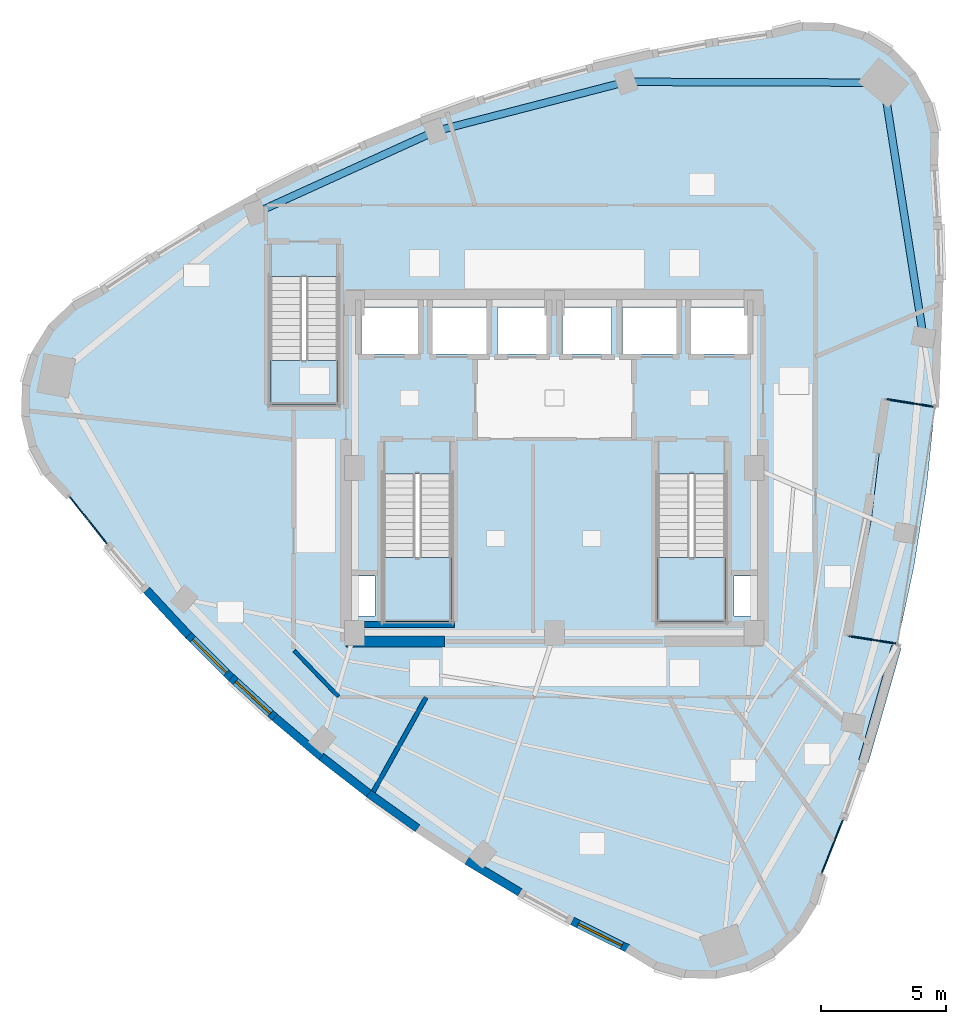
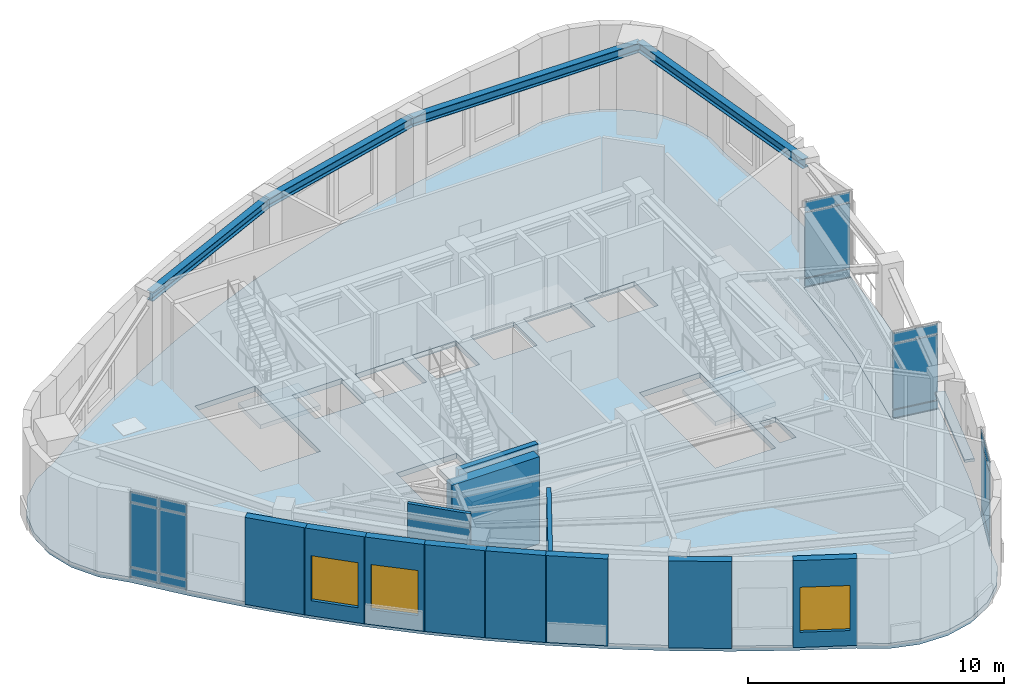
# One storey, part 8 of 14: 16 plates, 12 walls, 5 slabs, 4 beams, 3 windows, 3 openings, 7 elements without a shape of their own.
"""IFC4 building model written with IfcOpenShell, lengths in metres."""

from ifc_helpers import new_model, si_unit, direction, frame, frame_2d, origin, origin_2d, place, context, subcontext, project, spatial, polyline, rectangle, i_section, outline, extrude, material, layer, layer_set, material_profile, profile_set, type_object, element, fill, aggregate, save


model = new_model("IFC4")

# Units and contexts
model_context = context("Model", 3, precision=1e-05, world=origin(), true_north=direction((0.0, 1.0)))
body_context = subcontext(model_context, "Body", "Model", "MODEL_VIEW")
ifc_project = project(units=[si_unit("LENGTHUNIT", "METRE"), si_unit("AREAUNIT", "SQUARE_METRE"), si_unit("VOLUMEUNIT", "CUBIC_METRE"), si_unit("PLANEANGLEUNIT", "RADIAN"), si_unit("MASSUNIT", "GRAM", prefix="KILO")], contexts=[model_context])

# Site, building, storey
site_placement = place(None, origin())
site = spatial("IfcSite", under=ifc_project, at=site_placement, CompositionType="ELEMENT")
building_placement = place(site_placement, origin())
building = spatial("IfcBuilding", under=site, at=building_placement, Name="Ndelora Gate Hotel", CompositionType="ELEMENT")
storey_placement = place(building_placement, frame((0.0, 0.0, 277.199951171875)))
storey = spatial("IfcBuildingStorey", under=building, at=storey_placement, Name="L69", CompositionType="ELEMENT", Elevation=277.199951171875)

# Beams
ifc_material_1 = material(Name="Steel S355", Category="steel")
ifc_material_profile = material_profile(ifc_material_1, i_section(OverallWidth=0.300048828125, OverallDepth=0.449951171875, WebThickness=0.013916015625, FlangeThickness=0.02587890625, FilletRadius=0.027099609375, at=origin_2d()), Name="HEB 450")
ifc_profile_set = profile_set([ifc_material_profile], Name="Steel S355")
beam_type = type_object("IfcBeamType", Name="BM-RING-450", PredefinedType="SPANDREL", material=ifc_profile_set)
beam_1_placement = place(storey_placement, frame((14.77490234375, 5.232177734375, 3.925048828125), z_axis=(-0.154824264006, 0.987942026272, 0.0), x_axis=(-0.987942026272, -0.154824264006, 0.0)))
element("IfcBeam", 1, at=beam_1_placement, inside=storey, type_object=beam_type, Name="L69 Perimeter Spandrel Girder 8", PredefinedType="SPANDREL", context=body_context, shape_type="SweptSolid", body=[
    extrude(i_section(OverallWidth=0.300048828125, OverallDepth=0.449951171875, WebThickness=0.013916015625, FlangeThickness=0.02587890625, FilletRadius=0.027099609375, at=origin_2d()), origin(), (0.0, 0.0, 1.0), 10.32080078125),
])
beam_2_placement = place(storey_placement, frame((13.177001953125, 15.428466796875, 3.925048828125), z_axis=(-0.999994967187, 0.003172632958, 0.0), x_axis=(-0.003172632958, -0.999994967187, 0.0)))
element("IfcBeam", 2, at=beam_2_placement, inside=storey, type_object=beam_type, Name="L69 Perimeter Spandrel Girder 9", PredefinedType="SPANDREL", context=body_context, shape_type="SweptSolid", body=[
    extrude(i_section(OverallWidth=0.300048828125, OverallDepth=0.449951171875, WebThickness=0.013916015625, FlangeThickness=0.02587890625, FilletRadius=0.027099609375, at=origin_2d()), origin(), (0.0, 0.0, 1.0), 10.3115234375),
])
for number, where, z_axis, x_axis, name in (
    (3, (2.865478515625, 15.461181640625, 3.925048828125), (-0.968064499617, -0.250701265615, 0.0), (0.250701265615, -0.968064499617, 0.0), "L69 Perimeter Spandrel Girder 10"),
    (4, (-4.7744140625, 13.482666015625, 3.925048828125), (-0.910089762217, -0.414411178309, 0.0), (0.414411178309, -0.910089762217, 0.0), "L69 Perimeter Spandrel Girder 11"),
):
    element("IfcBeam", number, at=place(storey_placement, frame(where, z_axis=z_axis, x_axis=x_axis)), inside=storey, type_object=beam_type, Name=name, PredefinedType="SPANDREL", context=body_context, shape_type="SweptSolid", body=[
        extrude(i_section(OverallWidth=0.300048828125, OverallDepth=0.449951171875, WebThickness=0.013916015625, FlangeThickness=0.02587890625, FilletRadius=0.027099609375, at=origin_2d()), origin(), (0.0, 0.0, 1.0), 7.891845703125),
    ])

# Curtain wall, plates
ifc_material_2 = material(Name="Bronze Anodised Unitised Aluminium and Low-E Glass", Category="aluminium")
ifc_layer_1 = layer(ifc_material_2, 0.199951171875)
ifc_layer_set_1 = layer_set([ifc_layer_1], Name="Bronze Anodised Unitised Aluminium and Low-E Glass")
curtain_wall_type_1 = type_object("IfcCurtainWallType", Name="CW-SYS-3", PredefinedType="NOTDEFINED", material=ifc_layer_set_1)
curtain_wall_1_placement = place(storey_placement, origin())
curtain_wall_1 = element("IfcCurtainWall", 5, at=curtain_wall_1_placement, inside=storey, type_object=curtain_wall_type_1, Name="L69 Sky-Garden Loggia Side Curtain Wall CW3-1", PredefinedType="NOTDEFINED")
ifc_material_3 = material(Name="Solar-Control Low-E Insulated Glazing", Category="glass")
ifc_layer_2 = layer(ifc_material_3, 0.048095703125)
ifc_layer_set_2 = layer_set([ifc_layer_2], Name="Solar-Control Low-E Insulated Glazing")
plate_type_1 = type_object("IfcPlateType", Name="PL-CW-GLZ36", PredefinedType="CURTAIN_PANEL", material=ifc_layer_set_2)
plate_1_placement = place(storey_placement, frame((12.741943359375, -6.8779296875, 0.05908203125), z_axis=(0.0, 0.0, 1.0), x_axis=(0.987685001706, -0.156455544499, 0.0)))
plate_1 = element("IfcPlate", 6, at=plate_1_placement, type_object=plate_type_1, Name="CW3 panel 1.1", PredefinedType="CURTAIN_PANEL", context=body_context, shape_type="SweptSolid", body=[
    extrude(rectangle(XDim=1.8818359375, YDim=0.048095703125, at=origin_2d()), origin(), (0.0, 0.0, 1.0), 0.364501953125),
])
plate_2_placement = place(storey_placement, frame((12.741943359375, -6.8779296875, 0.4765625), z_axis=(0.0, 0.0, 1.0), x_axis=(0.987685001706, -0.156455544499, 0.0)))
plate_2 = element("IfcPlate", 7, at=plate_2_placement, type_object=plate_type_1, Name="CW3 panel 1.2", PredefinedType="CURTAIN_PANEL", context=body_context, shape_type="SweptSolid", body=[
    extrude(rectangle(XDim=1.8818359375, YDim=0.048095703125, at=origin_2d()), origin(), (0.0, 0.0, 1.0), 3.096923828125),
])
plate_3_placement = place(storey_placement, frame((12.741943359375, -6.8779296875, 3.62646484375), z_axis=(0.0, 0.0, 1.0), x_axis=(0.987685001706, -0.156455544499, 0.0)))
plate_3 = element("IfcPlate", 8, at=plate_3_placement, type_object=plate_type_1, Name="CW3 panel 1.3", PredefinedType="CURTAIN_PANEL", context=body_context, shape_type="SweptSolid", body=[
    extrude(rectangle(XDim=1.8818359375, YDim=0.048095703125, at=origin_2d()), origin(), (0.0, 0.0, 1.0), 0.464599609375),
])
aggregate(curtain_wall_1, [plate_1, plate_2, plate_3])

curtain_wall_2_placement = place(storey_placement, origin())
curtain_wall_2 = element("IfcCurtainWall", 9, at=curtain_wall_2_placement, inside=storey, type_object=curtain_wall_type_1, Name="L69 Sky-Garden Loggia Side Curtain Wall CW3-2", PredefinedType="NOTDEFINED")
plate_4_placement = place(storey_placement, frame((14.24365234375, 2.603759765625, 0.05908203125), z_axis=(0.0, 0.0, 1.0), x_axis=(-0.987686225576, 0.15644781816, 0.0)))
plate_4 = element("IfcPlate", 10, at=plate_4_placement, type_object=plate_type_1, Name="CW3 panel 1.1", PredefinedType="CURTAIN_PANEL", context=body_context, shape_type="SweptSolid", body=[
    extrude(rectangle(XDim=1.882080078125, YDim=0.048095703125, at=origin_2d()), origin(), (0.0, 0.0, 1.0), 0.364501953125),
])
plate_5_placement = place(storey_placement, frame((14.24365234375, 2.603759765625, 0.4765625), z_axis=(0.0, 0.0, 1.0), x_axis=(-0.987686225576, 0.15644781816, 0.0)))
plate_5 = element("IfcPlate", 11, at=plate_5_placement, type_object=plate_type_1, Name="CW3 panel 1.2", PredefinedType="CURTAIN_PANEL", context=body_context, shape_type="SweptSolid", body=[
    extrude(rectangle(XDim=1.882080078125, YDim=0.048095703125, at=origin_2d()), origin(), (0.0, 0.0, 1.0), 3.096923828125),
])
plate_6_placement = place(storey_placement, frame((14.24365234375, 2.603759765625, 3.62646484375), z_axis=(0.0, 0.0, 1.0), x_axis=(-0.987686225576, 0.15644781816, 0.0)))
plate_6 = element("IfcPlate", 12, at=plate_6_placement, type_object=plate_type_1, Name="CW3 panel 1.3", PredefinedType="CURTAIN_PANEL", context=body_context, shape_type="SweptSolid", body=[
    extrude(rectangle(XDim=1.882080078125, YDim=0.048095703125, at=origin_2d()), origin(), (0.0, 0.0, 1.0), 0.464599609375),
])
aggregate(curtain_wall_2, [plate_4, plate_5, plate_6])

ifc_layer_3 = layer(ifc_material_2, 0.219970703125)
ifc_layer_set_3 = layer_set([ifc_layer_3], Name="Bronze Anodised Unitised Aluminium and Low-E Glass")
curtain_wall_type_2 = type_object("IfcCurtainWallType", Name="CW-SYS-6", PredefinedType="NOTDEFINED", material=ifc_layer_set_3)
curtain_wall_3_placement = place(storey_placement, origin())
curtain_wall_3 = element("IfcCurtainWall", 13, at=curtain_wall_3_placement, inside=storey, type_object=curtain_wall_type_2, Name="L69 Crown Sky-Restaurant & Cocktail Bar Curtain Wall 1", PredefinedType="NOTDEFINED")
plate_7_placement = place(storey_placement, frame((-19.042236328125, -1.61767578125, 0.05908203125), z_axis=(0.0, 0.0, 1.0), x_axis=(0.621504931243, -0.783410250406, 0.0)))
plate_7 = element("IfcPlate", 14, at=plate_7_placement, type_object=plate_type_1, Name="CW6 panel 1.1", PredefinedType="CURTAIN_PANEL", context=body_context, shape_type="SweptSolid", body=[
    extrude(rectangle(XDim=1.162841796875, YDim=0.048095703125, at=origin_2d()), origin(), (0.0, 0.0, 1.0), 0.41455078125),
])
plate_8_placement = place(storey_placement, frame((-19.042236328125, -1.61767578125, 0.5263671875), z_axis=(0.0, 0.0, 1.0), x_axis=(0.621504931243, -0.783410250406, 0.0)))
plate_8 = element("IfcPlate", 15, at=plate_8_placement, type_object=plate_type_1, Name="CW6 panel 1.2", PredefinedType="CURTAIN_PANEL", context=body_context, shape_type="SweptSolid", body=[
    extrude(rectangle(XDim=1.162841796875, YDim=0.048095703125, at=origin_2d()), origin(), (0.0, 0.0, 1.0), 3.047119140625),
])
plate_9_placement = place(storey_placement, frame((-19.042236328125, -1.61767578125, 3.62646484375), z_axis=(0.0, 0.0, 1.0), x_axis=(0.621504931243, -0.783410250406, 0.0)))
plate_9 = element("IfcPlate", 16, at=plate_9_placement, type_object=plate_type_1, Name="CW6 panel 1.3", PredefinedType="CURTAIN_PANEL", context=body_context, shape_type="SweptSolid", body=[
    extrude(rectangle(XDim=1.162841796875, YDim=0.048095703125, at=origin_2d()), origin(), (0.0, 0.0, 1.0), 0.464599609375),
])
plate_10_placement = place(storey_placement, frame((-18.28662109375, -2.570068359375, 0.05908203125), z_axis=(0.0, 0.0, 1.0), x_axis=(0.621504931243, -0.783410250406, 0.0)))
plate_10 = element("IfcPlate", 17, at=plate_10_placement, type_object=plate_type_1, Name="CW6 panel 2.1", PredefinedType="CURTAIN_PANEL", context=body_context, shape_type="SweptSolid", body=[
    extrude(rectangle(XDim=1.162841796875, YDim=0.048095703125, at=origin_2d()), origin(), (0.0, 0.0, 1.0), 0.41455078125),
])
plate_11_placement = place(storey_placement, frame((-18.28662109375, -2.570068359375, 0.5263671875), z_axis=(0.0, 0.0, 1.0), x_axis=(0.621504931243, -0.783410250406, 0.0)))
plate_11 = element("IfcPlate", 18, at=plate_11_placement, type_object=plate_type_1, Name="CW6 panel 2.2", PredefinedType="CURTAIN_PANEL", context=body_context, shape_type="SweptSolid", body=[
    extrude(rectangle(XDim=1.162841796875, YDim=0.048095703125, at=origin_2d()), origin(), (0.0, 0.0, 1.0), 3.047119140625),
])
plate_12_placement = place(storey_placement, frame((-18.28662109375, -2.570068359375, 3.62646484375), z_axis=(0.0, 0.0, 1.0), x_axis=(0.621504931243, -0.783410250406, 0.0)))
plate_12 = element("IfcPlate", 19, at=plate_12_placement, type_object=plate_type_1, Name="CW6 panel 2.3", PredefinedType="CURTAIN_PANEL", context=body_context, shape_type="SweptSolid", body=[
    extrude(rectangle(XDim=1.162841796875, YDim=0.048095703125, at=origin_2d()), origin(), (0.0, 0.0, 1.0), 0.464599609375),
])
aggregate(curtain_wall_3, [plate_7, plate_8, plate_9, plate_10, plate_11, plate_12])

curtain_wall_4_placement = place(storey_placement, origin())
curtain_wall_4 = element("IfcCurtainWall", 20, at=curtain_wall_4_placement, inside=storey, type_object=curtain_wall_type_2, Name="L69 Crown Sky-Restaurant & Cocktail Bar Curtain Wall 2", PredefinedType="NOTDEFINED")
plate_13_placement = place(storey_placement, frame((11.12841796875, -15.162841796875, 0.05908203125), z_axis=(0.0, 0.0, 1.0), x_axis=(0.3684058387, 0.929665067652, 0.0)))
plate_13 = element("IfcPlate", 21, at=plate_13_placement, type_object=plate_type_1, Name="CW6 panel 1.1", PredefinedType="CURTAIN_PANEL", context=body_context, shape_type="SweptSolid", body=[
    extrude(rectangle(XDim=2.28076171875, YDim=0.048095703125, at=origin_2d()), origin(), (0.0, 0.0, 1.0), 0.41455078125),
])
plate_14_placement = place(storey_placement, frame((11.12841796875, -15.162841796875, 0.5263671875), z_axis=(0.0, 0.0, 1.0), x_axis=(0.3684058387, 0.929665067652, 0.0)))
plate_14 = element("IfcPlate", 22, at=plate_14_placement, type_object=plate_type_1, Name="CW6 panel 1.2", PredefinedType="CURTAIN_PANEL", context=body_context, shape_type="SweptSolid", body=[
    extrude(rectangle(XDim=2.28076171875, YDim=0.048095703125, at=origin_2d()), origin(), (0.0, 0.0, 1.0), 3.047119140625),
])
plate_15_placement = place(storey_placement, frame((11.12841796875, -15.162841796875, 3.62646484375), z_axis=(0.0, 0.0, 1.0), x_axis=(0.3684058387, 0.929665067652, 0.0)))
plate_15 = element("IfcPlate", 23, at=plate_15_placement, type_object=plate_type_1, Name="CW6 panel 1.3", PredefinedType="CURTAIN_PANEL", context=body_context, shape_type="SweptSolid", body=[
    extrude(rectangle(XDim=2.28076171875, YDim=0.048095703125, at=origin_2d()), origin(), (0.0, 0.0, 1.0), 0.464599609375),
])
aggregate(curtain_wall_4, [plate_13, plate_14, plate_15])

# Plate
ifc_material_4 = material(Name="Precast concrete C40/50", Category="concrete")
ifc_layer_4 = layer(ifc_material_4, 0.125)
ifc_layer_set_4 = layer_set([ifc_layer_4], Name="Precast concrete C40/50")
plate_type_2 = type_object("IfcPlateType", Name="PL-SILL-120", PredefinedType="USERDEFINED", material=ifc_layer_set_4)
plate_16_placement = place(storey_placement, frame((13.03662109375, -9.447021484375, 0.78759765625), z_axis=(0.0, 0.0, 1.0), x_axis=(0.276140633457, 0.961117240795, 0.0)))
element("IfcPlate", 24, at=plate_16_placement, inside=storey, type_object=plate_type_2, Name="L69 Streamline Precast Ribbon Sill 31", ObjectType="RIBBON_SILL", PredefinedType="USERDEFINED", context=body_context, shape_type="SweptSolid", body=[
    extrude(rectangle(XDim=4.77001953125, YDim=0.39990234375, at=origin_2d()), origin(), (0.0, 0.0, 1.0), 0.125),
])

# Stair, slab
stair_type = type_object("IfcStairType", Name="STR-DOG-CORE", PredefinedType="HALF_TURN_STAIR", material=ifc_material_4)
stair_1_placement = place(storey_placement, origin())
stair_1 = element("IfcStair", 25, at=stair_1_placement, inside=storey, type_object=stair_type, Name="L69 Protected Core Exit Stair ST4", PredefinedType="HALF_TURN_STAIR")
ifc_layer_5 = layer(ifc_material_4, 0.219970703125)
ifc_layer_set_5 = layer_set([ifc_layer_5], Name="Precast concrete C40/50")
slab_type_1 = type_object("IfcSlabType", Name="SL-LAND-220", PredefinedType="LANDING", material=ifc_layer_set_5)
slab_1_placement = place(storey_placement, frame((0.0, 0.0, 2.0)))
slab_1 = element("IfcSlab", 26, at=slab_1_placement, type_object=slab_type_1, Name="ST4 landing 1", PredefinedType="LANDING", context=body_context, shape_type="SweptSolid", body=[
    extrude(outline(polyline([(-6.85009765625, -3.590087890625), (-6.85009765625, -6.14990234375), (-4.1298828125, -6.14990234375), (-4.1298828125, -3.590087890625), (-6.85009765625, -3.590087890625)])), origin(), (0.0, 0.0, 1.0), 0.199951171875),
])
aggregate(stair_1, [slab_1])

stair_2_placement = place(storey_placement, origin())
stair_2 = element("IfcStair", 27, at=stair_2_placement, inside=storey, type_object=stair_type, Name="L69 Protected Core Exit Stair ST5", PredefinedType="HALF_TURN_STAIR")
slab_2_placement = place(storey_placement, frame((0.0, 0.0, 2.0)))
slab_2 = element("IfcSlab", 28, at=slab_2_placement, type_object=slab_type_1, Name="ST5 landing 1", PredefinedType="LANDING", context=body_context, shape_type="SweptSolid", body=[
    extrude(outline(polyline([(4.1298828125, -3.590087890625), (4.1298828125, -6.14990234375), (6.85009765625, -6.14990234375), (6.85009765625, -3.590087890625), (4.1298828125, -3.590087890625)])), origin(), (0.0, 0.0, 1.0), 0.199951171875),
])
aggregate(stair_2, [slab_2])

stair_3_placement = place(storey_placement, origin())
stair_3 = element("IfcStair", 29, at=stair_3_placement, inside=storey, type_object=stair_type, Name="L69 Crown Observation Exit Stair ST6", PredefinedType="HALF_TURN_STAIR")
slab_3_placement = place(storey_placement, frame((0.0, 0.0, 2.0)))
slab_3 = element("IfcSlab", 30, at=slab_3_placement, type_object=slab_type_1, Name="ST6 landing 1", PredefinedType="LANDING", context=body_context, shape_type="SweptSolid", body=[
    extrude(outline(polyline([(-11.389892578125, 4.31005859375), (-11.389892578125, 2.550048828125), (-8.669921875, 2.550048828125), (-8.669921875, 4.31005859375), (-11.389892578125, 4.31005859375)])), origin(), (0.0, 0.0, 1.0), 0.199951171875),
])
aggregate(stair_3, [slab_3])

# Slabs
ifc_layer_6 = layer(ifc_material_4, 0.239990234375)
ifc_layer_set_6 = layer_set([ifc_layer_6], Name="Precast concrete C40/50")
slab_type_2 = type_object("IfcSlabType", Name="SL-TER-240", PredefinedType="FLOOR", material=ifc_layer_set_6)
slab_4_placement = place(storey_placement, frame((0.0, 0.0, -0.239990234375)))
element("IfcSlab", 31, at=slab_4_placement, inside=storey, type_object=slab_type_2, Name="L69 Sky Garden Loggia Terrace Slab", PredefinedType="FLOOR", context=body_context, shape_type="SweptSolid", body=[
    extrude(outline(polyline([(11.75439453125, -6.721435546875), (13.7294921875, -7.034423828125), (14.3955078125, -3.932373046875), (14.906005859375, -0.70849609375), (15.2314453125, 2.447509765625), (13.256103515625, 2.76025390625), (12.697509765625, -2.010986328125), (11.75439453125, -6.721435546875)])), origin(), (0.0, 0.0, 1.0), 0.239990234375),
])
ifc_material_5 = material(Name="Concrete C40/50", Category="concrete")
ifc_layer_7 = layer(ifc_material_5, 0.25)
ifc_layer_set_7 = layer_set([ifc_layer_7], Name="Concrete C40/50")
slab_type_3 = type_object("IfcSlabType", Name="SL-TWR-250", PredefinedType="FLOOR", material=ifc_layer_set_7)
slab_5_placement = place(storey_placement, frame((0.0, 0.0, -0.25)))
element("IfcSlab", 32, at=slab_5_placement, inside=storey, type_object=slab_type_3, Name="L69 Structural Floor Slab", PredefinedType="FLOOR", context=body_context, shape_type="SweptSolid", body=[
    extrude(outline(polyline([(-18.12744140625, 7.079833984375), (-19.228515625, 6.48193359375), (-20.137451171875, 5.619384765625), (-20.792236328125, 4.551025390625), (-21.148193359375, 3.349609375), (-21.180908203125, 2.096923828125), (-20.888427734375, 0.87841796875), (-20.29052734375, -0.22265625), (-19.427978515625, -1.131591796875), (-17.901123046875, -3.05615234375), (-16.31298828125, -4.905029296875), (-14.663818359375, -6.678466796875), (-12.953369140625, -8.376220703125), (-11.181884765625, -9.99853515625), (-9.34912109375, -11.545166015625), (-7.455078125, -13.016357421875), (-5.5, -14.411865234375), (-3.483642578125, -15.73193359375), (-1.40625, -16.976318359375), (0.732421875, -18.145263671875), (2.932373046875, -19.23876953125), (4.000732421875, -19.893310546875), (5.2021484375, -20.249267578125), (6.454833984375, -20.281982421875), (7.67333984375, -19.989501953125), (8.7744140625, -19.3916015625), (9.683349609375, -18.529052734375), (10.338134765625, -17.460693359375), (10.694091796875, -16.25927734375), (11.56298828125, -14.06640625), (12.343505859375, -11.859619140625), (13.7294921875, -7.034423828125), (11.75439453125, -6.721435546875), (12.697509765625, -2.010986328125), (13.256103515625, 2.76025390625), (15.2314453125, 2.447509765625), (15.404052734375, 7.46484375), (15.34375, 9.8046875), (15.195068359375, 12.15869140625), (15.227783203125, 13.41162109375), (14.935302734375, 14.6298828125), (14.33740234375, 15.731201171875), (13.474853515625, 16.639892578125), (12.406494140625, 17.294677734375), (11.205078125, 17.650634765625), (9.952392578125, 17.683349609375), (8.73388671875, 17.390869140625), (6.303955078125, 17.031005859375), (3.90869140625, 16.580078125), (1.548095703125, 16.03857421875), (-0.77734375, 15.406005859375), (-3.068115234375, 14.68310546875), (-5.323974609375, 13.869140625), (-7.544921875, 12.964599609375), (-9.731201171875, 11.968994140625), (-11.88232421875, 10.8828125), (-13.998779296875, 9.7060546875), (-16.08056640625, 8.438232421875), (-18.12744140625, 7.079833984375)]), holes=[polyline([(-6.85009765625, -0.22998046875), (-6.85009765625, -6.14990234375), (-4.1298828125, -6.14990234375), (-4.1298828125, -0.22998046875), (-6.85009765625, -0.22998046875)]), polyline([(4.1298828125, -0.22998046875), (4.1298828125, -6.14990234375), (6.85009765625, -6.14990234375), (6.85009765625, -0.22998046875), (4.1298828125, -0.22998046875)]), polyline([(-11.389892578125, 7.669921875), (-11.389892578125, 2.550048828125), (-8.669921875, 2.550048828125), (-8.669921875, 7.669921875), (-11.389892578125, 7.669921875)]), polyline([(-7.72998046875, 4.570068359375), (-5.469970703125, 4.570068359375), (-5.469970703125, 6.429931640625), (-7.72998046875, 6.429931640625), (-7.72998046875, 4.570068359375)]), polyline([(5.469970703125, 4.570068359375), (7.72998046875, 4.570068359375), (7.72998046875, 6.429931640625), (5.469970703125, 6.429931640625), (5.469970703125, 4.570068359375)]), polyline([(-4.8798828125, 4.570068359375), (-2.719970703125, 4.570068359375), (-2.719970703125, 6.429931640625), (-4.8798828125, 6.429931640625), (-4.8798828125, 4.570068359375)]), polyline([(2.719970703125, 4.570068359375), (4.8798828125, 4.570068359375), (4.8798828125, 6.429931640625), (2.719970703125, 6.429931640625), (2.719970703125, 4.570068359375)]), polyline([(-2.280029296875, 4.570068359375), (-0.320068359375, 4.570068359375), (-0.320068359375, 6.429931640625), (-2.280029296875, 6.429931640625), (-2.280029296875, 4.570068359375)]), polyline([(0.320068359375, 4.570068359375), (2.280029296875, 4.570068359375), (2.280029296875, 6.429931640625), (0.320068359375, 6.429931640625), (0.320068359375, 4.570068359375)]), polyline([(-7.89990234375, -5.919921875), (-7.179931640625, -5.919921875), (-7.179931640625, -4.320068359375), (-7.89990234375, -4.320068359375), (-7.89990234375, -5.919921875)]), polyline([(7.179931640625, -5.919921875), (7.89990234375, -5.919921875), (7.89990234375, -4.320068359375), (7.179931640625, -4.320068359375), (7.179931640625, -5.919921875)])]), origin(), (0.0, 0.0, 1.0), 0.25),
])

# Walls
ifc_material_6 = material(Name="Acoustic Double-Stud Gypsum Assembly", Category="gypsum")
ifc_layer_8 = layer(ifc_material_6, 0.179931640625)
ifc_layer_set_8 = layer_set([ifc_layer_8], Name="Acoustic Double-Stud Gypsum Assembly")
wall_type_1 = type_object("IfcWallType", Name="WL-ACOUST-180", PredefinedType="PARTITIONING", material=ifc_layer_set_8)
wall_1_placement = place(storey_placement, frame((-5.137451171875, -9.179931640625, 0.0), z_axis=(0.0, 0.0, 1.0), x_axis=(-0.488323904918, -0.872662457016, 0.0)))
element("IfcWall", 33, at=wall_1_placement, inside=storey, type_object=wall_type_1, Name="L69 Interior Wall IW-3", PredefinedType="PARTITIONING", context=body_context, shape_type="SweptSolid", body=[
    extrude(rectangle(XDim=4.49609375, YDim=0.179931640625, at=frame_2d((2.248046875, 0.0))), origin(), (0.0, 0.0, 1.0), 4.150146484375),
])
ifc_material_7 = material(Name="Clay Brick Masonry", Category="masonry")
ifc_layer_9 = layer(ifc_material_7, 0.330078125)
ifc_layer_set_9 = layer_set([ifc_layer_9], Name="Clay Brick Masonry")
wall_type_2 = type_object("IfcWallType", Name="WL-BRICK-330", PredefinedType="SOLIDWALL", material=ifc_layer_set_9)
wall_2_placement = place(storey_placement, frame((-14.646728515625, -6.69677734375, 0.0), z_axis=(0.0, 0.0, 1.0), x_axis=(-0.681011582837, 0.732272643242, 0.0)))
element("IfcWall", 34, at=wall_2_placement, inside=storey, type_object=wall_type_2, Name="L69 Tower Brick Pier-and-Spandrel Wall TWR-11", PredefinedType="SOLIDWALL", context=body_context, shape_type="SweptSolid", body=[
    extrude(rectangle(XDim=2.471923828125, YDim=0.330078125, at=frame_2d((1.23583984375, 0.0))), origin(), (0.0, 0.0, 1.0), 4.150146484375),
])

# Wall, opening, window
wall_3_placement = place(storey_placement, frame((-12.935791015625, -8.393798828125, 0.0), z_axis=(0.0, 0.0, 1.0), x_axis=(-0.709682736457, 0.704521407464, 0.0)))
wall_3 = element("IfcWall", 35, at=wall_3_placement, inside=storey, type_object=wall_type_2, Name="L69 Tower Brick Pier-and-Spandrel Wall TWR-12", PredefinedType="SOLIDWALL", context=body_context, shape_type="SweptSolid", body=[
    extrude(rectangle(XDim=2.459716796875, YDim=0.330078125, at=frame_2d((1.22998046875, 0.0))), origin(), (0.0, 0.0, 1.0), 4.150146484375),
])
opening_1_placement = place(wall_3_placement, frame((0.280029296875, 0.0, 0.719970703125)))
opening_1 = element("IfcOpeningElement", 36, at=opening_1_placement, cuts=wall_3, Name="Opening W05", PredefinedType="OPENING", context=body_context, shape_type="SweptSolid", body=[
    extrude(rectangle(XDim=1.89990234375, YDim=2.14990234375, at=frame_2d((0.949951171875, 1.074951171875))), frame((0.0, 0.175048828125, 0.0), z_axis=(0.0, -1.0, 0.0), x_axis=(1.0, 0.0, 0.0)), (0.0, 0.0, 1.0), 0.35009765625),
])
ifc_material_8 = material(Name="Insulated Low-E Double Glazing in Bronze Aluminium Frame", Category="aluminium")
window_type = type_object("IfcWindowType", Name="WN-SKY-2000", PartitioningType="SINGLE_PANEL", PredefinedType="WINDOW", material=ifc_material_8)
window_1_placement = place(opening_1_placement, origin())
window_1 = element("IfcWindow", 37, at=window_1_placement, inside=storey, type_object=window_type, Name="L69 Deep-Set Brick-Pier Window W05", OverallHeight=2.14990234375, OverallWidth=1.89990234375, PartitioningType="SINGLE_PANEL", PredefinedType="WINDOW", context=body_context, shape_type="SweptSolid", body=[
    extrude(rectangle(XDim=1.89990234375, YDim=2.14990234375, at=frame_2d((0.949951171875, 1.074951171875))), frame((0.0, 0.030029296875, 0.0), z_axis=(0.0, -1.0, 0.0), x_axis=(1.0, 0.0, 0.0)), (0.0, 0.0, 1.0), 0.06005859375),
])
fill(opening_1, window_1)

wall_4_placement = place(storey_placement, frame((-11.16357421875, -10.015380859375, 0.0), z_axis=(0.0, 0.0, 1.0), x_axis=(-0.73744340021, 0.675408936487, 0.0)))
wall_4 = element("IfcWall", 38, at=wall_4_placement, inside=storey, type_object=wall_type_2, Name="L69 Tower Brick Pier-and-Spandrel Wall TWR-13", PredefinedType="SOLIDWALL", context=body_context, shape_type="SweptSolid", body=[
    extrude(rectangle(XDim=2.451904296875, YDim=0.330078125, at=frame_2d((1.22607421875, 0.0))), origin(), (0.0, 0.0, 1.0), 4.150146484375),
])
opening_2_placement = place(wall_4_placement, frame((0.281005859375, 0.0, 0.719970703125)))
opening_2 = element("IfcOpeningElement", 39, at=opening_2_placement, cuts=wall_4, Name="Opening W05", PredefinedType="OPENING", context=body_context, shape_type="SweptSolid", body=[
    extrude(rectangle(XDim=1.889892578125, YDim=2.14990234375, at=frame_2d((0.94482421875, 1.074951171875))), frame((0.0, 0.175048828125, 0.0), z_axis=(0.0, -1.0, 0.0), x_axis=(1.0, 0.0, 0.0)), (0.0, 0.0, 1.0), 0.35009765625),
])
window_2_placement = place(opening_2_placement, origin())
window_2 = element("IfcWindow", 40, at=window_2_placement, inside=storey, type_object=window_type, Name="L69 Deep-Set Brick-Pier Window W05", OverallHeight=2.14990234375, OverallWidth=1.889892578125, PartitioningType="SINGLE_PANEL", PredefinedType="WINDOW", context=body_context, shape_type="SweptSolid", body=[
    extrude(rectangle(XDim=1.889892578125, YDim=2.14990234375, at=frame_2d((0.94482421875, 1.074951171875))), frame((0.0, 0.030029296875, 0.0), z_axis=(0.0, -1.0, 0.0), x_axis=(1.0, 0.0, 0.0)), (0.0, 0.0, 1.0), 0.06005859375),
])
fill(opening_2, window_2)

# Walls
wall_5_placement = place(storey_placement, frame((-9.330078125, -11.561279296875, 0.0), z_axis=(0.0, 0.0, 1.0), x_axis=(-0.764225429478, 0.644949217334, 0.0)))
element("IfcWall", 41, at=wall_5_placement, inside=storey, type_object=wall_type_2, Name="L69 Tower Brick Pier-and-Spandrel Wall TWR-14", PredefinedType="SOLIDWALL", context=body_context, shape_type="SweptSolid", body=[
    extrude(rectangle(XDim=2.447998046875, YDim=0.330078125, at=frame_2d((1.22412109375, 0.0))), origin(), (0.0, 0.0, 1.0), 4.150146484375),
])
wall_6_placement = place(storey_placement, frame((-7.435302734375, -13.031494140625, 0.0), z_axis=(0.0, 0.0, 1.0), x_axis=(-0.789786954421, 0.613381257152, 0.0)))
element("IfcWall", 42, at=wall_6_placement, inside=storey, type_object=wall_type_2, Name="L69 Tower Brick Pier-and-Spandrel Wall TWR-15", PredefinedType="SOLIDWALL", context=body_context, shape_type="SweptSolid", body=[
    extrude(rectangle(XDim=2.4482421875, YDim=0.330078125, at=frame_2d((1.22412109375, 0.0))), origin(), (0.0, 0.0, 1.0), 4.150146484375),
])
wall_7_placement = place(storey_placement, frame((-5.479736328125, -14.426513671875, 0.0), z_axis=(0.0, 0.0, 1.0), x_axis=(-0.813854547638, 0.581068649378, 0.0)))
element("IfcWall", 43, at=wall_7_placement, inside=storey, type_object=wall_type_2, Name="L69 Tower Brick Pier-and-Spandrel Wall TWR-16", PredefinedType="SOLIDWALL", context=body_context, shape_type="SweptSolid", body=[
    extrude(rectangle(XDim=2.4521484375, YDim=0.330078125, at=frame_2d((1.22607421875, 0.0))), origin(), (0.0, 0.0, 1.0), 4.150146484375),
])
wall_8_placement = place(storey_placement, frame((-1.384765625, -16.9892578125, 0.0), z_axis=(0.0, 0.0, 1.0), x_axis=(-0.857841338579, 0.513914621143, 0.0)))
element("IfcWall", 44, at=wall_8_placement, inside=storey, type_object=wall_type_2, Name="L69 Tower Brick Pier-and-Spandrel Wall TWR-18", PredefinedType="SOLIDWALL", context=body_context, shape_type="SweptSolid", body=[
    extrude(rectangle(XDim=2.4716796875, YDim=0.330078125, at=frame_2d((1.23583984375, 0.0))), origin(), (0.0, 0.0, 1.0), 4.150146484375),
])

# Wall, opening, window
wall_9_placement = place(storey_placement, frame((2.954833984375, -19.249755859375, 0.0), z_axis=(0.0, 0.0, 1.0), x_axis=(-0.895515434076, 0.445030456634, 0.0)))
wall_9 = element("IfcWall", 45, at=wall_9_placement, inside=storey, type_object=wall_type_2, Name="L69 Tower Brick Pier-and-Spandrel Wall TWR-20", PredefinedType="SOLIDWALL", context=body_context, shape_type="SweptSolid", body=[
    extrude(rectangle(XDim=2.506591796875, YDim=0.330078125, at=frame_2d((1.25341796875, 0.0))), origin(), (0.0, 0.0, 1.0), 4.150146484375),
])
opening_3_placement = place(wall_9_placement, frame((0.2783203125, 0.0, 0.719970703125)))
opening_3 = element("IfcOpeningElement", 46, at=opening_3_placement, cuts=wall_9, Name="Opening W05", PredefinedType="OPENING", context=body_context, shape_type="SweptSolid", body=[
    extrude(rectangle(XDim=1.949951171875, YDim=2.14990234375, at=frame_2d((0.97509765625, 1.074951171875))), frame((0.0, 0.175048828125, 0.0), z_axis=(0.0, -1.0, 0.0), x_axis=(1.0, 0.0, 0.0)), (0.0, 0.0, 1.0), 0.35009765625),
])
window_3_placement = place(opening_3_placement, origin())
window_3 = element("IfcWindow", 47, at=window_3_placement, inside=storey, type_object=window_type, Name="L69 Deep-Set Brick-Pier Window W05", OverallHeight=2.14990234375, OverallWidth=1.949951171875, PartitioningType="SINGLE_PANEL", PredefinedType="WINDOW", context=body_context, shape_type="SweptSolid", body=[
    extrude(rectangle(XDim=1.949951171875, YDim=2.14990234375, at=frame_2d((0.97509765625, 1.074951171875))), frame((0.0, 0.030029296875, 0.0), z_axis=(0.0, -1.0, 0.0), x_axis=(1.0, 0.0, 0.0)), (0.0, 0.0, 1.0), 0.06005859375),
])
fill(opening_3, window_3)

# Walls
ifc_material_9 = material(Name="Concrete C50/60", Category="concrete")
ifc_layer_10 = layer(ifc_material_9, 0.449951171875)
ifc_layer_set_10 = layer_set([ifc_layer_10], Name="Concrete C50/60")
wall_type_3 = type_object("IfcWallType", Name="WL-CORE-450", PredefinedType="SHEAR", material=ifc_layer_set_10)
wall_10_placement = place(storey_placement, frame((-8.35009765625, -6.949951171875, 0.0), z_axis=(0.0, 0.0, 1.0), x_axis=(1.0, 0.0, 0.0)))
element("IfcWall", 48, at=wall_10_placement, inside=storey, type_object=wall_type_3, Name="L69 Core Shear Wall S-W", PredefinedType="SHEAR", context=body_context, shape_type="SweptSolid", body=[
    extrude(rectangle(XDim=3.9501953125, YDim=0.449951171875, at=frame_2d((1.97509765625, 0.0))), origin(), (0.0, 0.0, 1.0), 4.150146484375),
])
ifc_material_10 = material(Name="Fire-Rated Gypsum Stud Partition", Category="gypsum")
ifc_layer_11 = layer(ifc_material_10, 0.14990234375)
ifc_layer_set_11 = layer_set([ifc_layer_11], Name="Fire-Rated Gypsum Stud Partition")
wall_type_4 = type_object("IfcWallType", Name="WL-PART-150", PredefinedType="PARTITIONING", material=ifc_layer_set_11)
wall_11_placement = place(storey_placement, frame((-8.647705078125, -9.151123046875, 0.0), z_axis=(0.0, 0.0, 1.0), x_axis=(-0.693764562202, 0.720201869085, 0.0)))
element("IfcWall", 49, at=wall_11_placement, inside=storey, type_object=wall_type_4, Name="L69 Interior Wall IW-5", PredefinedType="PARTITIONING", context=body_context, shape_type="SweptSolid", body=[
    extrude(rectangle(XDim=2.55810546875, YDim=0.14990234375, at=frame_2d((1.279052734375, 0.0))), origin(), (0.0, 0.0, 1.0), 4.150146484375),
])
ifc_layer_12 = layer(ifc_material_9, 0.239990234375)
ifc_layer_set_12 = layer_set([ifc_layer_12], Name="Concrete C50/60")
wall_type_5 = type_object("IfcWallType", Name="WL-STAIR-240", PredefinedType="SHEAR", material=ifc_layer_set_12)
wall_12_placement = place(storey_placement, frame((-7.60009765625, -6.27001953125, 0.0), z_axis=(0.0, 0.0, 1.0), x_axis=(1.0, 0.0, 0.0)))
element("IfcWall", 50, at=wall_12_placement, inside=storey, type_object=wall_type_5, Name="L69 Stair Core Shear Wall SW-ST", PredefinedType="SHEAR", context=body_context, shape_type="SweptSolid", body=[
    extrude(rectangle(XDim=3.590087890625, YDim=0.239990234375, at=frame_2d((1.794921875, 0.0))), origin(), (0.0, 0.0, 1.0), 4.150146484375),
])

save(model, "model.ifc")
